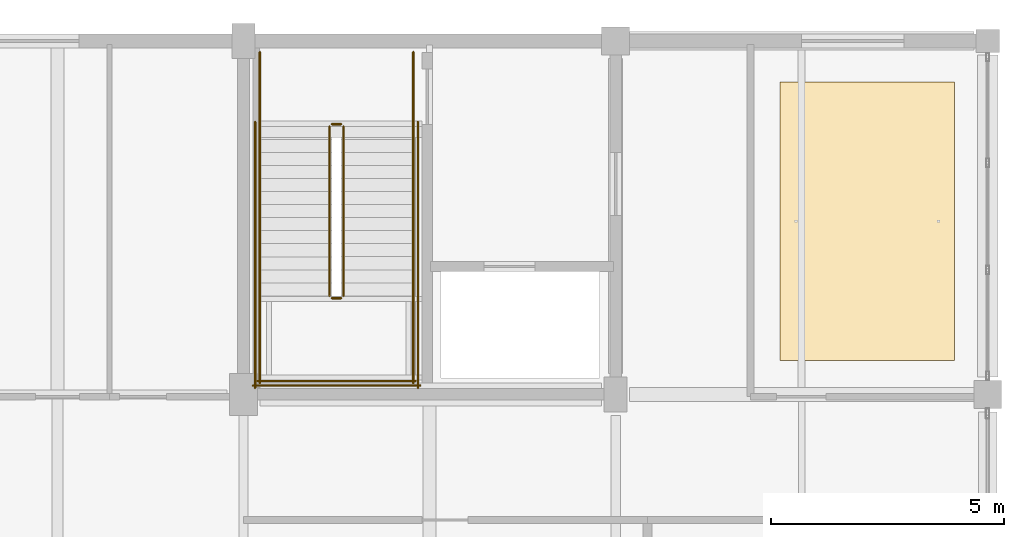
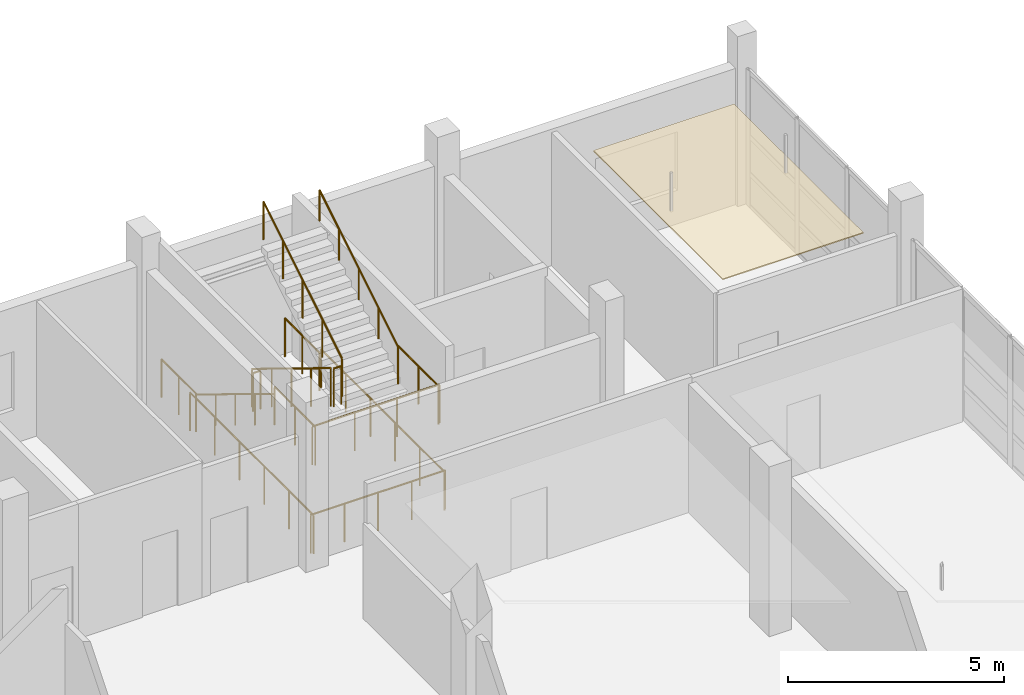
# One storey, part 147 of 147: 14 railings, 1 covering.
"""IFC4 building model written with IfcOpenShell, lengths in metres."""

from ifc_helpers import new_model, si_unit, direction, frame, origin, origin_2d, place, context, subcontext, project, spatial, polyline, circle, outline, extrude, material, layer, layer_set, type_object, element, save


model = new_model("IFC4")

# Units and contexts
model_context = context("Model", 3, precision=1e-05, world=origin(), true_north=direction((0.0, 1.0)))
body_context = subcontext(model_context, "Body", "Model", "MODEL_VIEW")
ifc_project = project(units=[si_unit("LENGTHUNIT", "METRE"), si_unit("AREAUNIT", "SQUARE_METRE"), si_unit("VOLUMEUNIT", "CUBIC_METRE"), si_unit("PLANEANGLEUNIT", "RADIAN"), si_unit("MASSUNIT", "GRAM", prefix="KILO")], contexts=[model_context])

# Site, building, storey
site_placement = place(None, origin())
site = spatial("IfcSite", under=ifc_project, at=site_placement, CompositionType="ELEMENT")
building_placement = place(site_placement, origin())
building = spatial("IfcBuilding", under=site, at=building_placement, Name="Khelvaren Railside Concert Hall", CompositionType="ELEMENT")
storey_placement = place(building_placement, frame((0.0, 0.0, 5.39990234375)))
storey = spatial("IfcBuildingStorey", under=building, at=storey_placement, Name="L01", CompositionType="ELEMENT", Elevation=5.39990234375)

# Covering
ifc_material_1 = material(Name="Micro-perforated timber acoustic ceiling", Category="wood")
ifc_layer = layer(ifc_material_1, 0.030029296875)
ifc_layer_set = layer_set([ifc_layer], Name="Micro-perforated timber acoustic ceiling")
covering_type = type_object("IfcCoveringType", Name="CLG77", PredefinedType="CEILING", material=ifc_layer_set)
covering_placement = place(storey_placement, frame((0.0, 0.0, 3.420166015625)))
element("IfcCovering", 1, at=covering_placement, inside=storey, type_object=covering_type, Name="Suspended Acoustic Ceiling Ensemble Coaching Suite L01", PredefinedType="CEILING", context=body_context, shape_type="SweptSolid", body=[
    extrude(outline(polyline([(179.530029296875, 107.1298828125), (183.2900390625, 107.1298828125), (183.2900390625, 113.1201171875), (179.530029296875, 113.1201171875), (179.530029296875, 107.1298828125)])), origin(), (0.0, 0.0, 1.0), 0.030029296875),
])

# Railings
ifc_material_2 = material(Name="Painted architectural steel", Category="steel")
railing_type_1 = type_object("IfcRailingType", Name="GRD86", PredefinedType="GUARDRAIL", material=ifc_material_2)
railing_1_placement = place(storey_placement, frame((169.85009765625, 112.159912109375, 0.171630859375)))
element("IfcRailing", 2, at=railing_1_placement, inside=storey, type_object=railing_type_1, Name="L01 ST-10 stair guard 1", PredefinedType="GUARDRAIL", context=body_context, shape_type="SweptSolid", body=[
    extrude(circle(Radius=0.02392578125, at=origin_2d()), frame((0.0, 0.0, 1.076171875), z_axis=(0.0, -0.852850264322, 0.5221555579), x_axis=(1.0, 0.0, 0.0)), (0.0, 0.0, 1.0), 4.267822265625),
    extrude(circle(Radius=0.02099609375, at=origin_2d()), origin(), (0.0, 0.0, 1.0), 1.052001953125),
    extrude(circle(Radius=0.02099609375, at=origin_2d()), frame((0.0, -0.909912109375, 0.55712890625)), (0.0, 0.0, 1.0), 1.052001953125),
    extrude(circle(Radius=0.02099609375, at=origin_2d()), frame((0.0, -1.81982421875, 1.1142578125)), (0.0, 0.0, 1.0), 1.052001953125),
    extrude(circle(Radius=0.02099609375, at=origin_2d()), frame((0.0, -2.72998046875, 1.67138671875)), (0.0, 0.0, 1.0), 1.052001953125),
    extrude(circle(Radius=0.02099609375, at=origin_2d()), frame((0.0, -3.639892578125, 2.228515625)), (0.0, 0.0, 1.0), 1.052001953125),
])
railing_2_placement = place(storey_placement, frame((169.89990234375, 108.469970703125, 2.400146484375)))
element("IfcRailing", 3, at=railing_2_placement, inside=storey, type_object=railing_type_1, Name="L01 ST-10 stair guard 2", PredefinedType="GUARDRAIL", context=body_context, shape_type="SweptSolid", body=[
    extrude(circle(Radius=0.02392578125, at=origin_2d()), frame((0.0, 0.0, 1.076171875), z_axis=(1.0, 0.0, 0.0), x_axis=(0.0, 1.0, 0.0)), (0.0, 0.0, 1.0), 0.2001953125),
    extrude(circle(Radius=0.02099609375, at=origin_2d()), origin(), (0.0, 0.0, 1.0), 1.052001953125),
    extrude(circle(Radius=0.02099609375, at=origin_2d()), frame((0.2001953125, 0.0, 0.0)), (0.0, 0.0, 1.0), 1.052001953125),
])
for number, where, name in (
    (4, (168.35009765625, 108.52001953125, 2.400146484375), "L01 ST-10 stair guard 3"),
    (5, (171.64990234375, 108.52001953125, 2.400146484375), "L01 ST-10 stair guard 4"),
):
    element("IfcRailing", number, at=place(storey_placement, frame(where)), inside=storey, type_object=railing_type_1, Name=name, PredefinedType="GUARDRAIL", context=body_context, shape_type="SweptSolid", body=[
        extrude(circle(Radius=0.02392578125, at=origin_2d()), frame((0.0, 0.0, 1.076171875), z_axis=(0.0, -1.0, 0.0), x_axis=(1.0, 0.0, 0.0)), (0.0, 0.0, 1.0), 1.880126953125),
        extrude(circle(Radius=0.02099609375, at=origin_2d()), origin(), (0.0, 0.0, 1.0), 1.052001953125),
        extrude(circle(Radius=0.02099609375, at=origin_2d()), frame((0.0, -0.93994140625, 0.0)), (0.0, 0.0, 1.0), 1.052001953125),
        extrude(circle(Radius=0.02099609375, at=origin_2d()), frame((0.0, -1.880126953125, 0.0)), (0.0, 0.0, 1.0), 1.052001953125),
    ])
railing_3_placement = place(storey_placement, frame((168.300048828125, 106.68994140625, 2.400146484375)))
element("IfcRailing", 6, at=railing_3_placement, inside=storey, type_object=railing_type_1, Name="L01 ST-10 stair guard 5", PredefinedType="GUARDRAIL", context=body_context, shape_type="SweptSolid", body=[
    extrude(circle(Radius=0.02392578125, at=origin_2d()), frame((0.0, 0.0, 1.076171875), z_axis=(1.0, 0.0, 0.0), x_axis=(0.0, 1.0, 0.0)), (0.0, 0.0, 1.0), 3.39990234375),
    extrude(circle(Radius=0.02099609375, at=origin_2d()), origin(), (0.0, 0.0, 1.0), 1.052001953125),
    extrude(circle(Radius=0.02099609375, at=origin_2d()), frame((1.13330078125, 0.0, 0.0)), (0.0, 0.0, 1.0), 1.052001953125),
    extrude(circle(Radius=0.02099609375, at=origin_2d()), frame((2.2666015625, 0.0, 0.0)), (0.0, 0.0, 1.0), 1.052001953125),
    extrude(circle(Radius=0.02099609375, at=origin_2d()), frame((3.39990234375, 0.0, 0.0)), (0.0, 0.0, 1.0), 1.052001953125),
])
railing_4_placement = place(storey_placement, frame((170.14990234375, 108.52001953125, 2.571533203125)))
element("IfcRailing", 7, at=railing_4_placement, inside=storey, type_object=railing_type_1, Name="L01 ST-10 stair guard 6", PredefinedType="GUARDRAIL", context=body_context, shape_type="SweptSolid", body=[
    extrude(circle(Radius=0.02392578125, at=origin_2d()), frame((0.0, 0.0, 1.076171875), z_axis=(0.0, 0.852850264322, 0.5221555579), x_axis=(-1.0, 0.0, 0.0)), (0.0, 0.0, 1.0), 4.267822265625),
    extrude(circle(Radius=0.02099609375, at=origin_2d()), origin(), (0.0, 0.0, 1.0), 1.052001953125),
    extrude(circle(Radius=0.02099609375, at=origin_2d()), frame((0.0, 0.909912109375, 0.55712890625)), (0.0, 0.0, 1.0), 1.052001953125),
    extrude(circle(Radius=0.02099609375, at=origin_2d()), frame((0.0, 1.81982421875, 1.1142578125)), (0.0, 0.0, 1.0), 1.052001953125),
    extrude(circle(Radius=0.02099609375, at=origin_2d()), frame((0.0, 2.72998046875, 1.67138671875)), (0.0, 0.0, 1.0), 1.052001953125),
    extrude(circle(Radius=0.02099609375, at=origin_2d()), frame((0.0, 3.639892578125, 2.228515625)), (0.0, 0.0, 1.0), 1.052001953125),
])
railing_5_placement = place(storey_placement, frame((169.89990234375, 112.2099609375, 0.0)))
element("IfcRailing", 8, at=railing_5_placement, inside=storey, type_object=railing_type_1, Name="L01 ST-10 stair guard 7", PredefinedType="GUARDRAIL", context=body_context, shape_type="SweptSolid", body=[
    extrude(circle(Radius=0.02392578125, at=origin_2d()), frame((0.0, 0.0, 1.076171875), z_axis=(1.0, 0.0, 0.0), x_axis=(0.0, 1.0, 0.0)), (0.0, 0.0, 1.0), 0.2001953125),
    extrude(circle(Radius=0.02099609375, at=origin_2d()), origin(), (0.0, 0.0, 1.0), 1.052001953125),
    extrude(circle(Radius=0.02099609375, at=origin_2d()), frame((0.2001953125, 0.0, 0.0)), (0.0, 0.0, 1.0), 1.052001953125),
])
for number, where, name in (
    (9, (168.35009765625, 113.760009765625, 0.0), "L01 ST-10 stair guard 8"),
    (10, (171.64990234375, 113.760009765625, 0.0), "L01 ST-10 stair guard 9"),
):
    element("IfcRailing", number, at=place(storey_placement, frame(where)), inside=storey, type_object=railing_type_1, Name=name, PredefinedType="GUARDRAIL", context=body_context, shape_type="SweptSolid", body=[
        extrude(circle(Radius=0.02392578125, at=origin_2d()), frame((0.0, 0.0, 1.076171875), z_axis=(0.0, -1.0, 0.0), x_axis=(1.0, 0.0, 0.0)), (0.0, 0.0, 1.0), 1.60009765625),
        extrude(circle(Radius=0.02099609375, at=origin_2d()), origin(), (0.0, 0.0, 1.0), 1.052001953125),
        extrude(circle(Radius=0.02099609375, at=origin_2d()), frame((0.0, -0.800048828125, 0.0)), (0.0, 0.0, 1.0), 1.052001953125),
        extrude(circle(Radius=0.02099609375, at=origin_2d()), frame((0.0, -1.60009765625, 0.0)), (0.0, 0.0, 1.0), 1.052001953125),
    ])
for number, where, name in (
    (11, (168.25, 112.260009765625, 0.0), "L01 ST-10 stair guard 10"),
    (12, (171.75, 112.260009765625, 0.0), "L01 ST-10 stair guard 11"),
):
    element("IfcRailing", number, at=place(storey_placement, frame(where)), inside=storey, type_object=railing_type_1, Name=name, PredefinedType="GUARDRAIL", context=body_context, shape_type="SweptSolid", body=[
        extrude(circle(Radius=0.02392578125, at=origin_2d()), frame((0.0, 0.0, 1.076171875), z_axis=(0.0, -1.0, 0.0), x_axis=(1.0, 0.0, 0.0)), (0.0, 0.0, 1.0), 5.719970703125),
        extrude(circle(Radius=0.02099609375, at=origin_2d()), origin(), (0.0, 0.0, 1.0), 1.052001953125),
        extrude(circle(Radius=0.02099609375, at=origin_2d()), frame((0.0, -1.14404296875, 0.0)), (0.0, 0.0, 1.0), 1.052001953125),
        extrude(circle(Radius=0.02099609375, at=origin_2d()), frame((0.0, -2.2880859375, 0.0)), (0.0, 0.0, 1.0), 1.052001953125),
        extrude(circle(Radius=0.02099609375, at=origin_2d()), frame((0.0, -3.431884765625, 0.0)), (0.0, 0.0, 1.0), 1.052001953125),
        extrude(circle(Radius=0.02099609375, at=origin_2d()), frame((0.0, -4.575927734375, 0.0)), (0.0, 0.0, 1.0), 1.052001953125),
        extrude(circle(Radius=0.02099609375, at=origin_2d()), frame((0.0, -5.719970703125, 0.0)), (0.0, 0.0, 1.0), 1.052001953125),
    ])
railing_6_placement = place(storey_placement, frame((168.199951171875, 106.590087890625, 0.0)))
element("IfcRailing", 13, at=railing_6_placement, inside=storey, type_object=railing_type_1, Name="L01 ST-10 stair guard 12", PredefinedType="GUARDRAIL", context=body_context, shape_type="SweptSolid", body=[
    extrude(circle(Radius=0.02392578125, at=origin_2d()), frame((0.0, 0.0, 1.076171875), z_axis=(1.0, 0.0, 0.0), x_axis=(0.0, 1.0, 0.0)), (0.0, 0.0, 1.0), 3.60009765625),
    extrude(circle(Radius=0.02099609375, at=origin_2d()), origin(), (0.0, 0.0, 1.0), 1.052001953125),
    extrude(circle(Radius=0.02099609375, at=origin_2d()), frame((0.89990234375, 0.0, 0.0)), (0.0, 0.0, 1.0), 1.052001953125),
    extrude(circle(Radius=0.02099609375, at=origin_2d()), frame((1.800048828125, 0.0, 0.0)), (0.0, 0.0, 1.0), 1.052001953125),
    extrude(circle(Radius=0.02099609375, at=origin_2d()), frame((2.7001953125, 0.0, 0.0)), (0.0, 0.0, 1.0), 1.052001953125),
    extrude(circle(Radius=0.02099609375, at=origin_2d()), frame((3.60009765625, 0.0, 0.0)), (0.0, 0.0, 1.0), 1.052001953125),
])
ifc_material_3 = material(Name="Brushed stainless steel Grade 316", Category="steel")
railing_type_2 = type_object("IfcRailingType", Name="HRL59", PredefinedType="HANDRAIL", material=ifc_material_3)
railing_7_placement = place(storey_placement, frame((168.35009765625, 112.159912109375, 0.171630859375)))
element("IfcRailing", 14, at=railing_7_placement, inside=storey, type_object=railing_type_2, Name="L01 ST-10 stair handrail 1", PredefinedType="HANDRAIL", context=body_context, shape_type="SweptSolid", body=[
    extrude(circle(Radius=0.02392578125, at=origin_2d()), frame((0.0, 0.0, 0.8759765625), z_axis=(0.0, -0.852850264322, 0.5221555579), x_axis=(1.0, 0.0, 0.0)), (0.0, 0.0, 1.0), 4.267822265625),
    extrude(circle(Radius=0.02099609375, at=origin_2d()), origin(), (0.0, 0.0, 1.0), 0.851806640625),
    extrude(circle(Radius=0.02099609375, at=origin_2d()), frame((0.0, -0.909912109375, 0.55712890625)), (0.0, 0.0, 1.0), 0.851806640625),
    extrude(circle(Radius=0.02099609375, at=origin_2d()), frame((0.0, -1.81982421875, 1.1142578125)), (0.0, 0.0, 1.0), 0.851806640625),
    extrude(circle(Radius=0.02099609375, at=origin_2d()), frame((0.0, -2.72998046875, 1.67138671875)), (0.0, 0.0, 1.0), 0.851806640625),
    extrude(circle(Radius=0.02099609375, at=origin_2d()), frame((0.0, -3.639892578125, 2.228515625)), (0.0, 0.0, 1.0), 0.851806640625),
])
railing_8_placement = place(storey_placement, frame((171.64990234375, 108.52001953125, 2.571533203125)))
element("IfcRailing", 15, at=railing_8_placement, inside=storey, type_object=railing_type_2, Name="L01 ST-10 stair handrail 2", PredefinedType="HANDRAIL", context=body_context, shape_type="SweptSolid", body=[
    extrude(circle(Radius=0.02392578125, at=origin_2d()), frame((0.0, 0.0, 0.8759765625), z_axis=(0.0, 0.852850264322, 0.5221555579), x_axis=(-1.0, 0.0, 0.0)), (0.0, 0.0, 1.0), 4.267822265625),
    extrude(circle(Radius=0.02099609375, at=origin_2d()), origin(), (0.0, 0.0, 1.0), 0.851806640625),
    extrude(circle(Radius=0.02099609375, at=origin_2d()), frame((0.0, 0.909912109375, 0.55712890625)), (0.0, 0.0, 1.0), 0.851806640625),
    extrude(circle(Radius=0.02099609375, at=origin_2d()), frame((0.0, 1.81982421875, 1.1142578125)), (0.0, 0.0, 1.0), 0.851806640625),
    extrude(circle(Radius=0.02099609375, at=origin_2d()), frame((0.0, 2.72998046875, 1.67138671875)), (0.0, 0.0, 1.0), 0.851806640625),
    extrude(circle(Radius=0.02099609375, at=origin_2d()), frame((0.0, 3.639892578125, 2.228515625)), (0.0, 0.0, 1.0), 0.851806640625),
])

save(model, "model.ifc")
